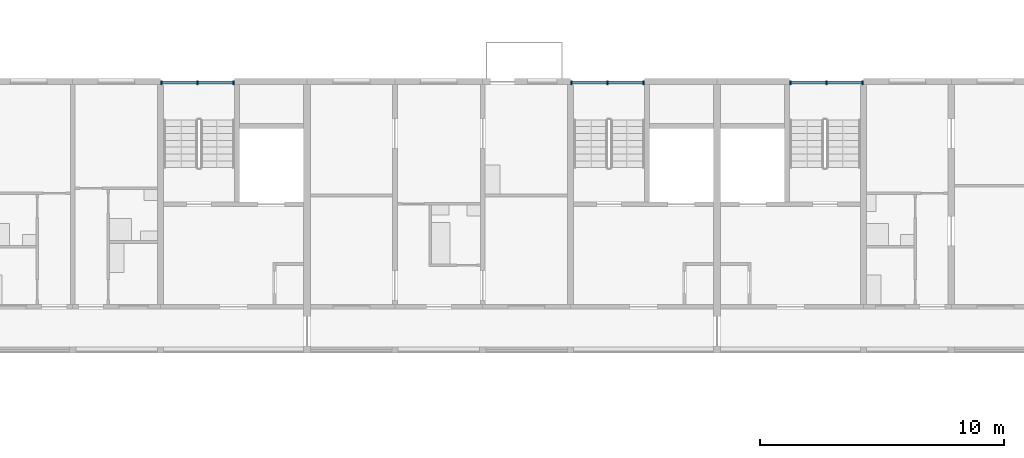
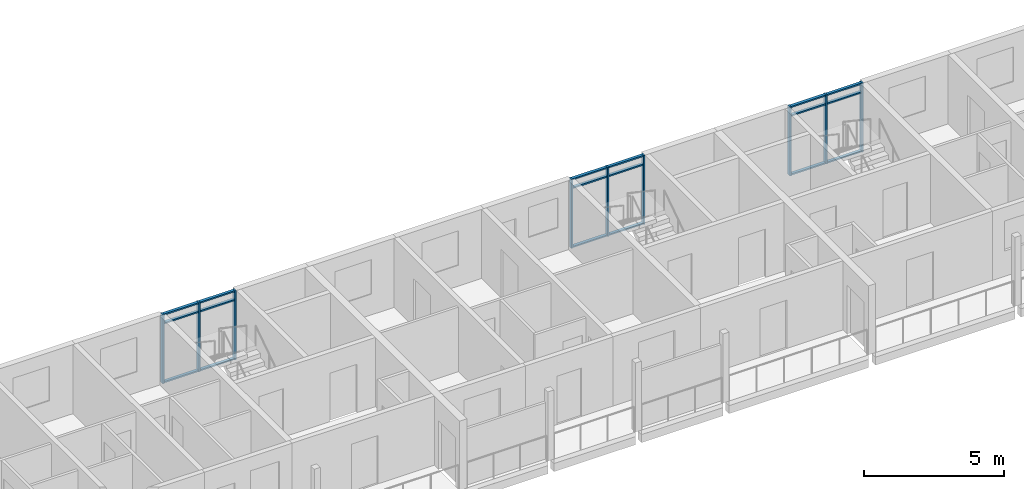
# One storey, part 21 of 100: 27 members, 3 elements without a shape of their own.
"""IFC4 building model written with IfcOpenShell, lengths in metres."""

import ifcopenshell
import ifcopenshell.guid

model = None  # the IFC model being written
_history = None  # IfcOwnerHistory: only IFC2X3 demands one
_inside = {}  # id of a spatial element -> (the spatial element, [elements in it])
_under = {}  # id of a project, library or spatial element -> (it, [spatial elements below it])
_declared = {}  # id of a project -> (the project, [libraries it declares])
_typed = {}  # id of a type object -> (the type object, [elements of that type])
_made_of = {}  # id of a material, layer set ... -> (it, [elements and type objects made of it])


def new_model(schema):
    """Start an empty IFC model of exactly this schema.

    Asked for "IFC4X3", IfcOpenShell would pick the latest addendum, in which some entities
    have other attributes; the version numbers below select the first issue.
    IFC2X3 requires an IfcOwnerHistory on every rooted entity: one is made here for all.
    """
    global model, _history
    if schema == "IFC4X3":
        model = ifcopenshell.file(schema_version=(4, 3, 0, 0))
    else:
        model = ifcopenshell.file(schema=schema)
    _inside.clear()
    _under.clear()
    _declared.clear()
    _typed.clear()
    _made_of.clear()
    _history = None
    if model.schema == "IFC2X3":
        org = make("IfcOrganization", Name="unknown")
        user = make(
            "IfcPersonAndOrganization",
            ThePerson=make("IfcPerson", FamilyName="unknown"),
            TheOrganization=org,
        )
        app = make(
            "IfcApplication",
            ApplicationDeveloper=org,
            Version="unknown",
            ApplicationFullName="unknown",
            ApplicationIdentifier="unknown",
        )
        _history = make(
            "IfcOwnerHistory",
            OwningUser=user,
            OwningApplication=app,
            ChangeAction="ADDED",
            CreationDate=0,
        )
    return model


def make(cls, **values):
    """One entity of the class cls with the attributes given. An attribute that is None is left unset."""
    return model.create_entity(
        cls, **{name: value for name, value in values.items() if value is not None}
    )


def rooted(cls, **values):
    """An entity with a GlobalId (a new one), such as an element, a storey or a relation."""
    return make(cls, GlobalId=ifcopenshell.guid.new(), OwnerHistory=_history, **values)


def si_unit(unit_type, name, prefix=None):
    """IfcSIUnit, for example si_unit("LENGTHUNIT", "METRE", prefix="MILLI")."""
    return make("IfcSIUnit", UnitType=unit_type, Prefix=prefix, Name=name)


def assignment(units):
    """IfcUnitAssignment: the units of a project."""
    return None if units is None else make("IfcUnitAssignment", Units=units)


def point(xyz):
    """IfcCartesianPoint."""
    return None if xyz is None else make("IfcCartesianPoint", Coordinates=xyz)


def direction(xyz):
    """IfcDirection."""
    return None if xyz is None else make("IfcDirection", DirectionRatios=xyz)


def frame(location, z_axis=None, x_axis=None):
    """IfcAxis2Placement3D, a coordinate frame: its origin and axes. An axis left out is left unset."""
    return make(
        "IfcAxis2Placement3D",
        Location=point(location),
        Axis=direction(z_axis),
        RefDirection=direction(x_axis),
    )


def frame_2d(location, x_axis=None):
    """IfcAxis2Placement2D, a coordinate frame in the plane: its origin and x axis."""
    return make(
        "IfcAxis2Placement2D", Location=point(location), RefDirection=direction(x_axis)
    )


def origin():
    """The frame at (0, 0, 0) with its axes left unset."""
    return frame((0.0, 0.0, 0.0))


def origin_2d():
    """The frame at (0, 0) in the plane with its x axis left unset."""
    return frame_2d((0.0, 0.0))


def place(relative_to, where):
    """IfcLocalPlacement: puts the frame where relative to a parent placement (None: the world)."""
    return make(
        "IfcLocalPlacement", PlacementRelTo=relative_to, RelativePlacement=where
    )


def context(
    kind, dimensions, precision=None, world=None, true_north=None, identifier=None
):
    """IfcGeometricRepresentationContext, for example the 3D "Model" context."""
    return make(
        "IfcGeometricRepresentationContext",
        ContextIdentifier=identifier,
        ContextType=kind,
        CoordinateSpaceDimension=dimensions,
        Precision=precision,
        WorldCoordinateSystem=world,
        TrueNorth=true_north,
    )


def subcontext(parent, identifier, kind, view, scale=None):
    """IfcGeometricRepresentationSubContext, for example "Body" below "Model"."""
    return make(
        "IfcGeometricRepresentationSubContext",
        ContextIdentifier=identifier,
        ContextType=kind,
        ParentContext=parent,
        TargetScale=scale,
        TargetView=view,
    )


def project(units=None, contexts=None):
    """IfcProject with its units and contexts."""
    return rooted(
        "IfcProject",
        Name="project",
        RepresentationContexts=contexts,
        UnitsInContext=assignment(units),
    )


def spatial(cls, under=None, at=None, **own):
    """A site, building, storey or space (cls), placed at a placement, below another one or the project."""
    s = rooted(cls, ObjectPlacement=at, **own)
    if under is not None:
        _under.setdefault(under.id(), (under, []))[1].append(s)
    return s


def profile(cls, at=None, kind="AREA", **sizes):
    """A parametric profile (cls). Its sizes go by their IFC names, for example OverallWidth=200.0."""
    return make(cls, ProfileType=kind, Position=at, **sizes)


def rectangle(**sizes):
    """IfcRectangleProfileDef."""
    return profile("IfcRectangleProfileDef", **sizes)


def extrude(swept, where, along, depth):
    """IfcExtrudedAreaSolid: the profile swept, set in the frame where, extruded along a direction by depth."""
    return make(
        "IfcExtrudedAreaSolid",
        SweptArea=swept,
        Position=where,
        ExtrudedDirection=direction(along),
        Depth=depth,
    )


def shape(context_of_items, identifier, shape_type, items):
    """IfcShapeRepresentation: the items that make up one representation, for example the "Body"."""
    return make(
        "IfcShapeRepresentation",
        ContextOfItems=context_of_items,
        RepresentationIdentifier=identifier,
        RepresentationType=shape_type,
        Items=items,
    )


def material(Name=None, Category=None):
    """IfcMaterial."""
    return make("IfcMaterial", Name=Name, Category=Category)


def material_profile(
    of_material, cross_section, Name=None, Category=None, Priority=None
):
    """IfcMaterialProfile: a cross section and its material."""
    return make(
        "IfcMaterialProfile",
        Name=Name,
        Material=of_material,
        Profile=cross_section,
        Priority=Priority,
        Category=Category,
    )


def profile_set(profiles, Name=None, composite=None):
    """IfcMaterialProfileSet."""
    return make(
        "IfcMaterialProfileSet",
        Name=Name,
        MaterialProfiles=profiles,
        CompositeProfile=composite,
    )


def made_of(thing, what):
    """Note that an element or type object is made of a material, layer set ...; save() writes the relation."""
    if what is not None:
        _made_of.setdefault(what.id(), (what, []))[1].append(thing)
    return thing


def type_object(cls, material=None, **own):
    """A type object (cls), such as IfcWallType, which elements share."""
    return made_of(rooted(cls, **own), material)


def element(
    cls,
    number,
    at=None,
    inside=None,
    cuts=None,
    type_object=None,
    material=None,
    context=None,
    identifier="Body",
    shape_type=None,
    held_by="IfcProductDefinitionShape",
    body=None,
    shapes=None,
    **own,
):
    """One element of the class cls, such as IfcWall. Its Tag is "e" and its number.

    at: its placement. inside: the storey or other place that contains it. cuts: it is an
    opening in that element (IfcRelVoidsElement). A single representation is given by context,
    identifier, shape_type and body (its items); several are given by shapes. held_by: the class
    of the entity that holds the representations. save() writes the other relations.
    """
    e = rooted(cls, Tag="e%d" % number, ObjectPlacement=at, **own)
    if body is not None:
        shapes = [shape(context, identifier, shape_type, body)]
    if shapes is not None:
        e.Representation = make(held_by, Representations=shapes)
    if inside is not None:
        _inside.setdefault(inside.id(), (inside, []))[1].append(e)
    if cuts is not None:
        rooted(
            "IfcRelVoidsElement", RelatingBuildingElement=cuts, RelatedOpeningElement=e
        )
    if type_object is not None:
        _typed.setdefault(type_object.id(), (type_object, []))[1].append(e)
    return made_of(e, material)


def aggregate(whole, parts):
    """IfcRelAggregates: a whole, such as a stair, and the parts it consists of."""
    return rooted("IfcRelAggregates", RelatingObject=whole, RelatedObjects=parts)


def save(model, path):
    """Write the relations noted so far, then the file.

    IfcRelAggregates (storeys below a building ...), IfcRelContainedInSpatialStructure (elements
    in a storey), IfcRelDefinesByType, IfcRelAssociatesMaterial and IfcRelDeclares: one each for
    every whole, place, type object, material and project.
    """
    for whole, parts in _under.values():
        aggregate(whole, parts)
    for where, things in _inside.values():
        rooted(
            "IfcRelContainedInSpatialStructure",
            RelatedElements=things,
            RelatingStructure=where,
        )
    for kind, things in _typed.values():
        rooted("IfcRelDefinesByType", RelatedObjects=things, RelatingType=kind)
    for what, things in _made_of.values():
        rooted("IfcRelAssociatesMaterial", RelatedObjects=things, RelatingMaterial=what)
    for by, libraries in _declared.values():
        rooted("IfcRelDeclares", RelatingContext=by, RelatedDefinitions=libraries)
    model.write(path)


model = new_model("IFC4")

# Units and contexts
model_context = context("Model", 3, precision=1e-05, world=origin(), true_north=direction((0.0, 1.0)))
body_context = subcontext(model_context, "Body", "Model", "MODEL_VIEW")
ifc_project = project(units=[si_unit("LENGTHUNIT", "METRE"), si_unit("AREAUNIT", "SQUARE_METRE"), si_unit("VOLUMEUNIT", "CUBIC_METRE"), si_unit("PLANEANGLEUNIT", "RADIAN"), si_unit("MASSUNIT", "GRAM", prefix="KILO")], contexts=[model_context])

# Site, building, storey
site_placement = place(None, origin())
site = spatial("IfcSite", under=ifc_project, at=site_placement, CompositionType="ELEMENT")
building_placement = place(site_placement, origin())
building = spatial("IfcBuilding", under=site, at=building_placement, Name="Ridgestep Commons", CompositionType="ELEMENT")
storey_placement = place(building_placement, frame((0.0, 0.0, 9.0)))
storey = spatial("IfcBuildingStorey", under=building, at=storey_placement, Name="L03", CompositionType="ELEMENT", Elevation=9.0)

# Curtain wall, members
ifc_material_1 = material(Name="Aluminium 6063-T6 and glass", Category="aluminium")
curtain_wall_type = type_object("IfcCurtainWallType", Name="Curtain wall stair strip", PredefinedType="NOTDEFINED", material=ifc_material_1)
curtain_wall_1_placement = place(storey_placement, origin())
curtain_wall_1 = element("IfcCurtainWall", 1, at=curtain_wall_1_placement, inside=storey, type_object=curtain_wall_type, Name="Curtain wall C1C level 03", PredefinedType="NOTDEFINED")
ifc_material_2 = material(Name="Aluminium 6063-T6", Category="aluminium")
ifc_material_profile_1 = material_profile(ifc_material_2, rectangle(XDim=0.159912109375, YDim=0.06005859375, at=origin_2d()), Name="Mullion 60 x 160")
ifc_profile_set_1 = profile_set([ifc_material_profile_1], Name="Aluminium 6063-T6")
member_type_1 = type_object("IfcMemberType", Name="Mullion 60 x 160", PredefinedType="MULLION", material=ifc_profile_set_1)
member_1_placement = place(storey_placement, frame((157.6298828125, 77.080078125, 0.0), z_axis=(0.0, 0.0, 1.0), x_axis=(0.0, 1.0, 0.0)))
member_1 = element("IfcMember", 2, at=member_1_placement, type_object=member_type_1, Name="CW1 mullion 1", PredefinedType="MULLION", context=body_context, shape_type="SweptSolid", body=[
    extrude(rectangle(XDim=0.159912109375, YDim=0.06005859375, at=origin_2d()), origin(), (0.0, 0.0, 1.0), 3.0),
])
member_2_placement = place(storey_placement, frame((159.112548828125, 77.080078125, 0.0), z_axis=(0.0, 0.0, 1.0), x_axis=(0.0, 1.0, 0.0)))
member_2 = element("IfcMember", 3, at=member_2_placement, type_object=member_type_1, Name="CW1 mullion 2", PredefinedType="MULLION", context=body_context, shape_type="SweptSolid", body=[
    extrude(rectangle(XDim=0.159912109375, YDim=0.06005859375, at=origin_2d()), origin(), (0.0, 0.0, 1.0), 3.0),
])
member_3_placement = place(storey_placement, frame((160.594970703125, 77.080078125, 0.0), z_axis=(0.0, 0.0, 1.0), x_axis=(0.0, 1.0, 0.0)))
member_3 = element("IfcMember", 4, at=member_3_placement, type_object=member_type_1, Name="CW1 mullion 3", PredefinedType="MULLION", context=body_context, shape_type="SweptSolid", body=[
    extrude(rectangle(XDim=0.159912109375, YDim=0.06005859375, at=origin_2d()), origin(), (0.0, 0.0, 1.0), 3.0),
])

curtain_wall_2_placement = place(storey_placement, origin())
curtain_wall_2 = element("IfcCurtainWall", 5, at=curtain_wall_2_placement, inside=storey, type_object=curtain_wall_type, Name="Curtain wall C2C level 03", PredefinedType="NOTDEFINED")
member_4_placement = place(storey_placement, frame((174.429931640625, 77.080078125, 0.0), z_axis=(0.0, 0.0, 1.0), x_axis=(0.0, 1.0, 0.0)))
member_4 = element("IfcMember", 6, at=member_4_placement, type_object=member_type_1, Name="CW1 mullion 1", PredefinedType="MULLION", context=body_context, shape_type="SweptSolid", body=[
    extrude(rectangle(XDim=0.159912109375, YDim=0.06005859375, at=origin_2d()), origin(), (0.0, 0.0, 1.0), 3.0),
])
member_5_placement = place(storey_placement, frame((175.91259765625, 77.080078125, 0.0), z_axis=(0.0, 0.0, 1.0), x_axis=(0.0, 1.0, 0.0)))
member_5 = element("IfcMember", 7, at=member_5_placement, type_object=member_type_1, Name="CW1 mullion 2", PredefinedType="MULLION", context=body_context, shape_type="SweptSolid", body=[
    extrude(rectangle(XDim=0.159912109375, YDim=0.06005859375, at=origin_2d()), origin(), (0.0, 0.0, 1.0), 3.0),
])
member_6_placement = place(storey_placement, frame((177.39501953125, 77.080078125, 0.0), z_axis=(0.0, 0.0, 1.0), x_axis=(0.0, 1.0, 0.0)))
member_6 = element("IfcMember", 8, at=member_6_placement, type_object=member_type_1, Name="CW1 mullion 3", PredefinedType="MULLION", context=body_context, shape_type="SweptSolid", body=[
    extrude(rectangle(XDim=0.159912109375, YDim=0.06005859375, at=origin_2d()), origin(), (0.0, 0.0, 1.0), 3.0),
])

curtain_wall_3_placement = place(storey_placement, origin())
curtain_wall_3 = element("IfcCurtainWall", 9, at=curtain_wall_3_placement, inside=storey, type_object=curtain_wall_type, Name="Curtain wall C3C level 03", PredefinedType="NOTDEFINED")
member_7_placement = place(storey_placement, frame((183.405029296875, 77.080078125, 0.0), z_axis=(0.0, 0.0, 1.0), x_axis=(0.0, 1.0, 0.0)))
member_7 = element("IfcMember", 10, at=member_7_placement, type_object=member_type_1, Name="CW1 mullion 1", PredefinedType="MULLION", context=body_context, shape_type="SweptSolid", body=[
    extrude(rectangle(XDim=0.159912109375, YDim=0.06005859375, at=origin_2d()), origin(), (0.0, 0.0, 1.0), 3.0),
])
member_8_placement = place(storey_placement, frame((184.887451171875, 77.080078125, 0.0), z_axis=(0.0, 0.0, 1.0), x_axis=(0.0, 1.0, 0.0)))
member_8 = element("IfcMember", 11, at=member_8_placement, type_object=member_type_1, Name="CW1 mullion 2", PredefinedType="MULLION", context=body_context, shape_type="SweptSolid", body=[
    extrude(rectangle(XDim=0.159912109375, YDim=0.06005859375, at=origin_2d()), origin(), (0.0, 0.0, 1.0), 3.0),
])
member_9_placement = place(storey_placement, frame((186.3701171875, 77.080078125, 0.0), z_axis=(0.0, 0.0, 1.0), x_axis=(0.0, 1.0, 0.0)))
member_9 = element("IfcMember", 12, at=member_9_placement, type_object=member_type_1, Name="CW1 mullion 3", PredefinedType="MULLION", context=body_context, shape_type="SweptSolid", body=[
    extrude(rectangle(XDim=0.159912109375, YDim=0.06005859375, at=origin_2d()), origin(), (0.0, 0.0, 1.0), 3.0),
])

# Member
ifc_material_3 = material(Name="Aluminium 6063-T6", Category="aluminium")
ifc_material_profile_2 = material_profile(ifc_material_3, rectangle(XDim=0.1201171875, YDim=0.06005859375, at=origin_2d()), Name="Transom 60 x 120")
ifc_profile_set_2 = profile_set([ifc_material_profile_2], Name="Aluminium 6063-T6")
member_type_2 = type_object("IfcMemberType", Name="Transom 60 x 120", PredefinedType="USERDEFINED", material=ifc_profile_set_2)
member_10_placement = place(storey_placement, frame((157.659912109375, 77.080078125, 0.030029296875), z_axis=(1.0, 0.0, 0.0), x_axis=(0.0, 1.0, 0.0)))
member_10 = element("IfcMember", 13, at=member_10_placement, type_object=member_type_2, Name="CW1 transom 1.1", ObjectType="TRANSOM", PredefinedType="USERDEFINED", context=body_context, shape_type="SweptSolid", body=[
    extrude(rectangle(XDim=0.1201171875, YDim=0.06005859375, at=origin_2d()), origin(), (0.0, 0.0, 1.0), 1.422607421875),
])

member_11_placement = place(storey_placement, frame((157.659912109375, 77.080078125, 2.590087890625), z_axis=(1.0, 0.0, 0.0), x_axis=(0.0, 1.0, 0.0)))
member_11 = element("IfcMember", 14, at=member_11_placement, type_object=member_type_2, Name="CW1 transom 1.2", ObjectType="TRANSOM", PredefinedType="USERDEFINED", context=body_context, shape_type="SweptSolid", body=[
    extrude(rectangle(XDim=0.1201171875, YDim=0.06005859375, at=origin_2d()), origin(), (0.0, 0.0, 1.0), 1.422607421875),
])

member_12_placement = place(storey_placement, frame((157.659912109375, 77.080078125, 2.969970703125), z_axis=(1.0, 0.0, 0.0), x_axis=(0.0, 1.0, 0.0)))
member_12 = element("IfcMember", 15, at=member_12_placement, type_object=member_type_2, Name="CW1 transom 1.3", ObjectType="TRANSOM", PredefinedType="USERDEFINED", context=body_context, shape_type="SweptSolid", body=[
    extrude(rectangle(XDim=0.1201171875, YDim=0.06005859375, at=origin_2d()), origin(), (0.0, 0.0, 1.0), 1.422607421875),
])

member_13_placement = place(storey_placement, frame((159.142578125, 77.080078125, 0.030029296875), z_axis=(1.0, 0.0, 0.0), x_axis=(0.0, 1.0, 0.0)))
member_13 = element("IfcMember", 16, at=member_13_placement, type_object=member_type_2, Name="CW1 transom 2.1", ObjectType="TRANSOM", PredefinedType="USERDEFINED", context=body_context, shape_type="SweptSolid", body=[
    extrude(rectangle(XDim=0.1201171875, YDim=0.06005859375, at=origin_2d()), origin(), (0.0, 0.0, 1.0), 1.42236328125),
])

member_14_placement = place(storey_placement, frame((159.142578125, 77.080078125, 2.590087890625), z_axis=(1.0, 0.0, 0.0), x_axis=(0.0, 1.0, 0.0)))
member_14 = element("IfcMember", 17, at=member_14_placement, type_object=member_type_2, Name="CW1 transom 2.2", ObjectType="TRANSOM", PredefinedType="USERDEFINED", context=body_context, shape_type="SweptSolid", body=[
    extrude(rectangle(XDim=0.1201171875, YDim=0.06005859375, at=origin_2d()), origin(), (0.0, 0.0, 1.0), 1.42236328125),
])

member_15_placement = place(storey_placement, frame((159.142578125, 77.080078125, 2.969970703125), z_axis=(1.0, 0.0, 0.0), x_axis=(0.0, 1.0, 0.0)))
member_15 = element("IfcMember", 18, at=member_15_placement, type_object=member_type_2, Name="CW1 transom 2.3", ObjectType="TRANSOM", PredefinedType="USERDEFINED", context=body_context, shape_type="SweptSolid", body=[
    extrude(rectangle(XDim=0.1201171875, YDim=0.06005859375, at=origin_2d()), origin(), (0.0, 0.0, 1.0), 1.42236328125),
])

aggregate(curtain_wall_1, [member_1, member_2, member_3, member_10, member_11, member_12, member_13, member_14, member_15])

member_16_placement = place(storey_placement, frame((174.4599609375, 77.080078125, 0.030029296875), z_axis=(1.0, 0.0, 0.0), x_axis=(0.0, 1.0, 0.0)))
member_16 = element("IfcMember", 19, at=member_16_placement, type_object=member_type_2, Name="CW1 transom 1.1", ObjectType="TRANSOM", PredefinedType="USERDEFINED", context=body_context, shape_type="SweptSolid", body=[
    extrude(rectangle(XDim=0.1201171875, YDim=0.06005859375, at=origin_2d()), origin(), (0.0, 0.0, 1.0), 1.422607421875),
])

member_17_placement = place(storey_placement, frame((174.4599609375, 77.080078125, 2.590087890625), z_axis=(1.0, 0.0, 0.0), x_axis=(0.0, 1.0, 0.0)))
member_17 = element("IfcMember", 20, at=member_17_placement, type_object=member_type_2, Name="CW1 transom 1.2", ObjectType="TRANSOM", PredefinedType="USERDEFINED", context=body_context, shape_type="SweptSolid", body=[
    extrude(rectangle(XDim=0.1201171875, YDim=0.06005859375, at=origin_2d()), origin(), (0.0, 0.0, 1.0), 1.422607421875),
])

member_18_placement = place(storey_placement, frame((174.4599609375, 77.080078125, 2.969970703125), z_axis=(1.0, 0.0, 0.0), x_axis=(0.0, 1.0, 0.0)))
member_18 = element("IfcMember", 21, at=member_18_placement, type_object=member_type_2, Name="CW1 transom 1.3", ObjectType="TRANSOM", PredefinedType="USERDEFINED", context=body_context, shape_type="SweptSolid", body=[
    extrude(rectangle(XDim=0.1201171875, YDim=0.06005859375, at=origin_2d()), origin(), (0.0, 0.0, 1.0), 1.422607421875),
])

member_19_placement = place(storey_placement, frame((175.9423828125, 77.080078125, 0.030029296875), z_axis=(1.0, 0.0, 0.0), x_axis=(0.0, 1.0, 0.0)))
member_19 = element("IfcMember", 22, at=member_19_placement, type_object=member_type_2, Name="CW1 transom 2.1", ObjectType="TRANSOM", PredefinedType="USERDEFINED", context=body_context, shape_type="SweptSolid", body=[
    extrude(rectangle(XDim=0.1201171875, YDim=0.06005859375, at=origin_2d()), origin(), (0.0, 0.0, 1.0), 1.422607421875),
])

member_20_placement = place(storey_placement, frame((175.9423828125, 77.080078125, 2.590087890625), z_axis=(1.0, 0.0, 0.0), x_axis=(0.0, 1.0, 0.0)))
member_20 = element("IfcMember", 23, at=member_20_placement, type_object=member_type_2, Name="CW1 transom 2.2", ObjectType="TRANSOM", PredefinedType="USERDEFINED", context=body_context, shape_type="SweptSolid", body=[
    extrude(rectangle(XDim=0.1201171875, YDim=0.06005859375, at=origin_2d()), origin(), (0.0, 0.0, 1.0), 1.422607421875),
])

member_21_placement = place(storey_placement, frame((175.9423828125, 77.080078125, 2.969970703125), z_axis=(1.0, 0.0, 0.0), x_axis=(0.0, 1.0, 0.0)))
member_21 = element("IfcMember", 24, at=member_21_placement, type_object=member_type_2, Name="CW1 transom 2.3", ObjectType="TRANSOM", PredefinedType="USERDEFINED", context=body_context, shape_type="SweptSolid", body=[
    extrude(rectangle(XDim=0.1201171875, YDim=0.06005859375, at=origin_2d()), origin(), (0.0, 0.0, 1.0), 1.422607421875),
])

aggregate(curtain_wall_2, [member_4, member_5, member_6, member_16, member_17, member_18, member_19, member_20, member_21])

member_22_placement = place(storey_placement, frame((183.43505859375, 77.080078125, 0.030029296875), z_axis=(1.0, 0.0, 0.0), x_axis=(0.0, 1.0, 0.0)))
member_22 = element("IfcMember", 25, at=member_22_placement, type_object=member_type_2, Name="CW1 transom 1.1", ObjectType="TRANSOM", PredefinedType="USERDEFINED", context=body_context, shape_type="SweptSolid", body=[
    extrude(rectangle(XDim=0.1201171875, YDim=0.06005859375, at=origin_2d()), origin(), (0.0, 0.0, 1.0), 1.42236328125),
])

member_23_placement = place(storey_placement, frame((183.43505859375, 77.080078125, 2.590087890625), z_axis=(1.0, 0.0, 0.0), x_axis=(0.0, 1.0, 0.0)))
member_23 = element("IfcMember", 26, at=member_23_placement, type_object=member_type_2, Name="CW1 transom 1.2", ObjectType="TRANSOM", PredefinedType="USERDEFINED", context=body_context, shape_type="SweptSolid", body=[
    extrude(rectangle(XDim=0.1201171875, YDim=0.06005859375, at=origin_2d()), origin(), (0.0, 0.0, 1.0), 1.42236328125),
])

member_24_placement = place(storey_placement, frame((183.43505859375, 77.080078125, 2.969970703125), z_axis=(1.0, 0.0, 0.0), x_axis=(0.0, 1.0, 0.0)))
member_24 = element("IfcMember", 27, at=member_24_placement, type_object=member_type_2, Name="CW1 transom 1.3", ObjectType="TRANSOM", PredefinedType="USERDEFINED", context=body_context, shape_type="SweptSolid", body=[
    extrude(rectangle(XDim=0.1201171875, YDim=0.06005859375, at=origin_2d()), origin(), (0.0, 0.0, 1.0), 1.42236328125),
])

member_25_placement = place(storey_placement, frame((184.91748046875, 77.080078125, 0.030029296875), z_axis=(1.0, 0.0, 0.0), x_axis=(0.0, 1.0, 0.0)))
member_25 = element("IfcMember", 28, at=member_25_placement, type_object=member_type_2, Name="CW1 transom 2.1", ObjectType="TRANSOM", PredefinedType="USERDEFINED", context=body_context, shape_type="SweptSolid", body=[
    extrude(rectangle(XDim=0.1201171875, YDim=0.06005859375, at=origin_2d()), origin(), (0.0, 0.0, 1.0), 1.422607421875),
])

member_26_placement = place(storey_placement, frame((184.91748046875, 77.080078125, 2.590087890625), z_axis=(1.0, 0.0, 0.0), x_axis=(0.0, 1.0, 0.0)))
member_26 = element("IfcMember", 29, at=member_26_placement, type_object=member_type_2, Name="CW1 transom 2.2", ObjectType="TRANSOM", PredefinedType="USERDEFINED", context=body_context, shape_type="SweptSolid", body=[
    extrude(rectangle(XDim=0.1201171875, YDim=0.06005859375, at=origin_2d()), origin(), (0.0, 0.0, 1.0), 1.422607421875),
])

member_27_placement = place(storey_placement, frame((184.91748046875, 77.080078125, 2.969970703125), z_axis=(1.0, 0.0, 0.0), x_axis=(0.0, 1.0, 0.0)))
member_27 = element("IfcMember", 30, at=member_27_placement, type_object=member_type_2, Name="CW1 transom 2.3", ObjectType="TRANSOM", PredefinedType="USERDEFINED", context=body_context, shape_type="SweptSolid", body=[
    extrude(rectangle(XDim=0.1201171875, YDim=0.06005859375, at=origin_2d()), origin(), (0.0, 0.0, 1.0), 1.422607421875),
])

aggregate(curtain_wall_3, [member_7, member_8, member_9, member_22, member_23, member_24, member_25, member_26, member_27])

save(model, "model.ifc")
